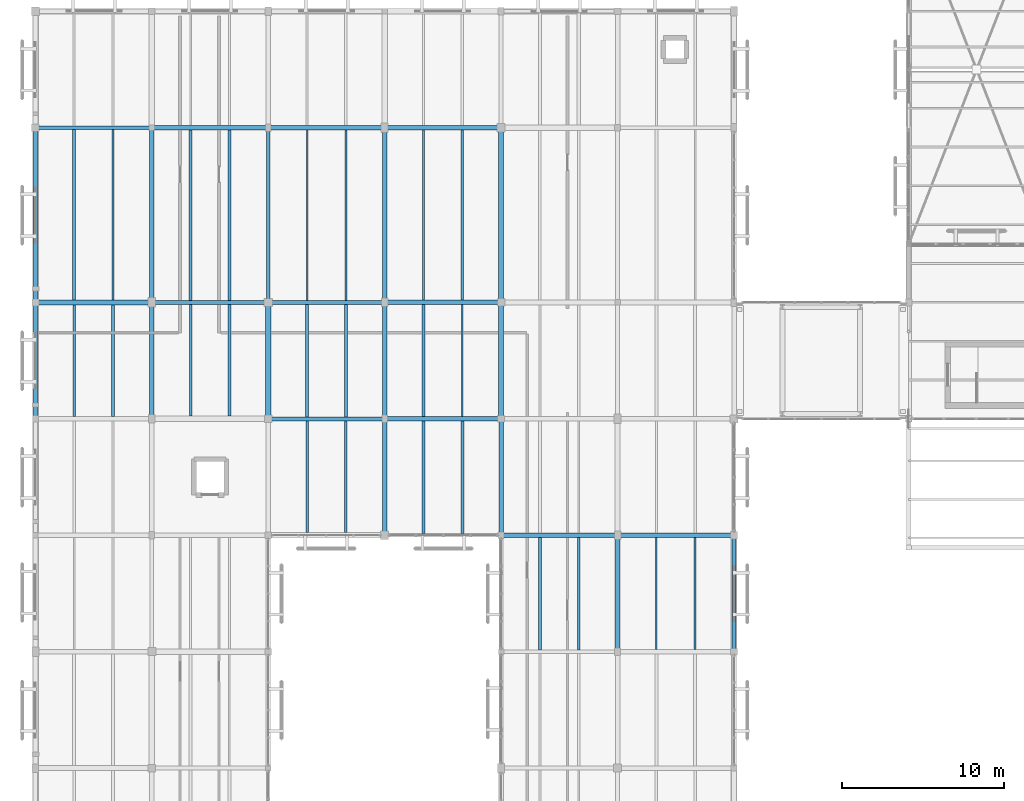
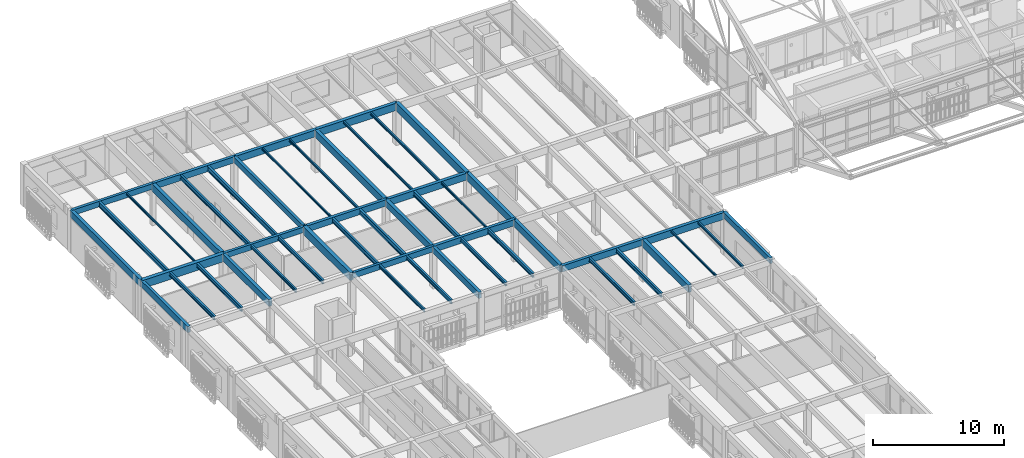
# One storey, part 57 of 217: 50 beams.
"""IFC4 building model written with IfcOpenShell, lengths in metres."""

from ifc_helpers import new_model, si_unit, direction, frame, origin, origin_2d, place, context, subcontext, project, spatial, rectangle, i_section, extrude, material, material_profile, profile_set, type_object, element, save


model = new_model("IFC4")

# Units and contexts
model_context = context("Model", 3, precision=1e-05, world=origin(), true_north=direction((0.0, 1.0)))
body_context = subcontext(model_context, "Body", "Model", "MODEL_VIEW")
ifc_project = project(units=[si_unit("LENGTHUNIT", "METRE"), si_unit("AREAUNIT", "SQUARE_METRE"), si_unit("VOLUMEUNIT", "CUBIC_METRE"), si_unit("PLANEANGLEUNIT", "RADIAN"), si_unit("MASSUNIT", "GRAM", prefix="KILO")], contexts=[model_context])

# Site, building, storey
site_placement = place(None, origin())
site = spatial("IfcSite", under=ifc_project, at=site_placement, CompositionType="ELEMENT")
building_placement = place(site_placement, origin())
building = spatial("IfcBuilding", under=site, at=building_placement, Name="Mazaris Harbour Polytechnic", CompositionType="ELEMENT")
storey_placement = place(building_placement, frame((0.0, 0.0, 9.60009765625)))
storey = spatial("IfcBuildingStorey", under=building, at=storey_placement, Name="L02", CompositionType="ELEMENT", Elevation=9.60009765625)

# Beams
ifc_material_1 = material(Name="Glulam GL32h", Category="wood")
ifc_material_profile_1 = material_profile(ifc_material_1, rectangle(XDim=0.239990234375, YDim=0.52001953125, at=origin_2d()), Name="RECT240x520")
ifc_profile_set_1 = profile_set([ifc_material_profile_1], Name="Glulam GL32h")
beam_type_1 = type_object("IfcBeamType", Name="Glulam Girder 240x520", PredefinedType="BEAM", material=ifc_profile_set_1)
beam_1_placement = place(storey_placement, frame((14.39990234375, 75.60009765625, 3.6298828125), z_axis=(1.0, 0.0, 0.0), x_axis=(0.0, 1.0, 0.0)))
element("IfcBeam", 1, at=beam_1_placement, inside=storey, type_object=beam_type_1, Name="V4 L02 Girder 1945", PredefinedType="BEAM", context=body_context, shape_type="SweptSolid", body=[
    extrude(rectangle(XDim=0.239990234375, YDim=0.52001953125, at=origin_2d()), origin(), (0.0, 0.0, 1.0), 7.2001953125),
])
for number, where, z_axis, x_axis, name in (
    (2, (7.199951171875, 82.800048828125, 3.6298828125), (1.0, 0.0, 0.0), (0.0, 1.0, 0.0), "V4 L02 Girder 1950"),
    (3, (0.0, 93.60009765625, 3.6298828125), (1.0, 0.0, 0.0), (0.0, 1.0, 0.0), "V4 L02 Girder 1955"),
):
    element("IfcBeam", number, at=place(storey_placement, frame(where, z_axis=z_axis, x_axis=x_axis)), inside=storey, type_object=beam_type_1, Name=name, PredefinedType="BEAM", context=body_context, shape_type="SweptSolid", body=[
        extrude(rectangle(XDim=0.239990234375, YDim=0.52001953125, at=origin_2d()), origin(), (0.0, 0.0, 1.0), 7.199951171875),
    ])
beam_2_placement = place(storey_placement, frame((14.39990234375, 82.800048828125, 3.6298828125), z_axis=(0.0, 1.0, 0.0), x_axis=(-1.0, 0.0, 0.0)))
element("IfcBeam", 4, at=beam_2_placement, inside=storey, type_object=beam_type_1, Name="V4 L02 Tie Girder 2000", PredefinedType="BEAM", context=body_context, shape_type="SweptSolid", body=[
    extrude(rectangle(XDim=0.239990234375, YDim=0.52001953125, at=origin_2d()), origin(), (0.0, 0.0, 1.0), 10.800048828125),
])
ifc_material_2 = material(Name="Glulam GL32h", Category="wood")
ifc_material_profile_2 = material_profile(ifc_material_2, rectangle(XDim=0.239990234375, YDim=0.52001953125, at=origin_2d()), Name="RECT240x520")
ifc_profile_set_2 = profile_set([ifc_material_profile_2], Name="Glulam GL32h")
beam_type_2 = type_object("IfcBeamType", Name="Glulam Girder 240x520 Exterior", PredefinedType="BEAM", material=ifc_profile_set_2)
beam_3_placement = place(storey_placement, frame((43.199951171875, 61.199951171875, 3.6298828125), z_axis=(0.0, 1.0, 0.0), x_axis=(-1.0, 0.0, 0.0)))
element("IfcBeam", 5, at=beam_3_placement, inside=storey, type_object=beam_type_2, Name="V4 L02 Tie Girder 2040", PredefinedType="BEAM", context=body_context, shape_type="SweptSolid", body=[
    extrude(rectangle(XDim=0.239990234375, YDim=0.52001953125, at=origin_2d()), origin(), (0.0, 0.0, 1.0), 7.199951171875),
])
ifc_material_3 = material(Name="Glulam GL32h", Category="wood")
ifc_material_profile_3 = material_profile(ifc_material_3, rectangle(XDim=0.260009765625, YDim=0.580078125, at=origin_2d()), Name="RECT260x580")
ifc_profile_set_3 = profile_set([ifc_material_profile_3], Name="Glulam GL32h")
beam_type_3 = type_object("IfcBeamType", Name="Glulam Girder 260x580", PredefinedType="BEAM", material=ifc_profile_set_3)
for number, where, z_axis, x_axis, name in (
    (6, (28.800048828125, 68.39990234375, 3.599853515625), (1.0, 0.0, 0.0), (0.0, 1.0, 0.0), "V4 L02 Girder 1941"),
    (7, (21.60009765625, 75.60009765625, 3.599853515625), (1.0, 0.0, 0.0), (0.0, 1.0, 0.0), "V4 L02 Girder 1946"),
):
    element("IfcBeam", number, at=place(storey_placement, frame(where, z_axis=z_axis, x_axis=x_axis)), inside=storey, type_object=beam_type_3, Name=name, PredefinedType="BEAM", context=body_context, shape_type="SweptSolid", body=[
        extrude(rectangle(XDim=0.260009765625, YDim=0.580078125, at=origin_2d()), origin(), (0.0, 0.0, 1.0), 7.199951171875),
    ])
beam_4_placement = place(storey_placement, frame((14.39990234375, 82.800048828125, 3.599853515625), z_axis=(1.0, 0.0, 0.0), x_axis=(0.0, 1.0, 0.0)))
element("IfcBeam", 8, at=beam_4_placement, inside=storey, type_object=beam_type_3, Name="V4 L02 Girder 1951", PredefinedType="BEAM", context=body_context, shape_type="SweptSolid", body=[
    extrude(rectangle(XDim=0.260009765625, YDim=0.580078125, at=origin_2d()), origin(), (0.0, 0.0, 1.0), 7.2001953125),
])
beam_5_placement = place(storey_placement, frame((7.199951171875, 93.60009765625, 3.599853515625), z_axis=(1.0, 0.0, 0.0), x_axis=(0.0, 1.0, 0.0)))
element("IfcBeam", 9, at=beam_5_placement, inside=storey, type_object=beam_type_3, Name="V4 L02 Girder 1956", PredefinedType="BEAM", context=body_context, shape_type="SweptSolid", body=[
    extrude(rectangle(XDim=0.260009765625, YDim=0.580078125, at=origin_2d()), origin(), (0.0, 0.0, 1.0), 7.199951171875),
])
beam_6_placement = place(storey_placement, frame((21.60009765625, 68.39990234375, 3.599853515625), z_axis=(0.0, 1.0, 0.0), x_axis=(-1.0, 0.0, 0.0)))
element("IfcBeam", 10, at=beam_6_placement, inside=storey, type_object=beam_type_3, Name="V4 L02 Tie Girder 2006", PredefinedType="BEAM", context=body_context, shape_type="SweptSolid", body=[
    extrude(rectangle(XDim=0.260009765625, YDim=0.580078125, at=origin_2d()), origin(), (0.0, 0.0, 1.0), 7.2001953125),
])
ifc_material_4 = material(Name="Glulam GL32h", Category="wood")
ifc_material_profile_4 = material_profile(ifc_material_4, rectangle(XDim=0.260009765625, YDim=0.580078125, at=origin_2d()), Name="RECT260x580")
ifc_profile_set_4 = profile_set([ifc_material_profile_4], Name="Glulam GL32h")
beam_type_4 = type_object("IfcBeamType", Name="Glulam Girder 260x580 Exterior", PredefinedType="BEAM", material=ifc_profile_set_4)
beam_7_placement = place(storey_placement, frame((0.0, 75.60009765625, 3.599853515625), z_axis=(0.0, 1.0, 0.0), x_axis=(-1.0, 0.0, 0.0)))
element("IfcBeam", 11, at=beam_7_placement, inside=storey, type_object=beam_type_4, Name="V4 L02 Tie Girder 1976", PredefinedType="BEAM", context=body_context, shape_type="SweptSolid", body=[
    extrude(rectangle(XDim=0.260009765625, YDim=0.580078125, at=origin_2d()), origin(), (0.0, 0.0, 1.0), 7.199951171875),
])
ifc_material_5 = material(Name="Glulam GL32h", Category="wood")
ifc_material_profile_5 = material_profile(ifc_material_5, rectangle(XDim=0.280029296875, YDim=0.639892578125, at=origin_2d()), Name="RECT280x640")
ifc_profile_set_5 = profile_set([ifc_material_profile_5], Name="Glulam GL32h")
beam_type_5 = type_object("IfcBeamType", Name="Glulam Girder 280x640", PredefinedType="BEAM", material=ifc_profile_set_5)
for number, where, z_axis, x_axis, name in (
    (12, (36.0, 68.39990234375, 3.56982421875), (1.0, 0.0, 0.0), (0.0, 1.0, 0.0), "V4 L02 Girder 1942"),
    (13, (21.60009765625, 82.800048828125, 3.56982421875), (1.0, 0.0, 0.0), (0.0, 1.0, 0.0), "V4 L02 Girder 1952"),
):
    element("IfcBeam", number, at=place(storey_placement, frame(where, z_axis=z_axis, x_axis=x_axis)), inside=storey, type_object=beam_type_5, Name=name, PredefinedType="BEAM", context=body_context, shape_type="SweptSolid", body=[
        extrude(rectangle(XDim=0.280029296875, YDim=0.639892578125, at=origin_2d()), origin(), (0.0, 0.0, 1.0), 7.199951171875),
    ])
beam_8_placement = place(storey_placement, frame((14.39990234375, 93.60009765625, 3.56982421875), z_axis=(1.0, 0.0, 0.0), x_axis=(0.0, 1.0, 0.0)))
element("IfcBeam", 14, at=beam_8_placement, inside=storey, type_object=beam_type_5, Name="V4 L02 Girder 1957", PredefinedType="BEAM", context=body_context, shape_type="SweptSolid", body=[
    extrude(rectangle(XDim=0.280029296875, YDim=0.639892578125, at=origin_2d()), origin(), (0.0, 0.0, 1.0), 7.2001953125),
])
for number, where, z_axis, x_axis, name in (
    (15, (7.199951171875, 75.60009765625, 3.56982421875), (0.0, 1.0, 0.0), (-1.0, 0.0, 0.0), "V4 L02 Tie Girder 1987"),
    (16, (21.60009765625, 75.60009765625, 3.56982421875), (0.0, 1.0, 0.0), (-1.0, 0.0, 0.0), "V4 L02 Tie Girder 2007"),
):
    element("IfcBeam", number, at=place(storey_placement, frame(where, z_axis=z_axis, x_axis=x_axis)), inside=storey, type_object=beam_type_5, Name=name, PredefinedType="BEAM", context=body_context, shape_type="SweptSolid", body=[
        extrude(rectangle(XDim=0.280029296875, YDim=0.639892578125, at=origin_2d()), origin(), (0.0, 0.0, 1.0), 7.199951171875),
    ])
beam_9_placement = place(storey_placement, frame((28.800048828125, 68.39990234375, 3.56982421875), z_axis=(0.0, 1.0, 0.0), x_axis=(-1.0, 0.0, 0.0)))
element("IfcBeam", 17, at=beam_9_placement, inside=storey, type_object=beam_type_5, Name="V4 L02 Tie Girder 2017", PredefinedType="BEAM", context=body_context, shape_type="SweptSolid", body=[
    extrude(rectangle(XDim=0.280029296875, YDim=0.639892578125, at=origin_2d()), origin(), (0.0, 0.0, 1.0), 7.2001953125),
])
ifc_material_6 = material(Name="Glulam GL32h", Category="wood")
ifc_material_profile_6 = material_profile(ifc_material_6, rectangle(XDim=0.280029296875, YDim=0.639892578125, at=origin_2d()), Name="RECT280x640")
ifc_profile_set_6 = profile_set([ifc_material_profile_6], Name="Glulam GL32h")
beam_type_6 = type_object("IfcBeamType", Name="Glulam Girder 280x640 Exterior", PredefinedType="BEAM", material=ifc_profile_set_6)
beam_10_placement = place(storey_placement, frame((0.0, 82.800048828125, 3.56982421875), z_axis=(0.0, 1.0, 0.0), x_axis=(-1.0, 0.0, 0.0)))
element("IfcBeam", 18, at=beam_10_placement, inside=storey, type_object=beam_type_6, Name="V4 L02 Tie Girder 1977", PredefinedType="BEAM", context=body_context, shape_type="SweptSolid", body=[
    extrude(rectangle(XDim=0.280029296875, YDim=0.639892578125, at=origin_2d()), origin(), (0.0, 0.0, 1.0), 10.800048828125),
])
ifc_material_7 = material(Name="Glulam GL32h", Category="wood")
ifc_material_profile_7 = material_profile(ifc_material_7, rectangle(XDim=0.300048828125, YDim=0.679931640625, at=origin_2d()), Name="RECT300x680")
ifc_profile_set_7 = profile_set([ifc_material_profile_7], Name="Glulam GL32h")
beam_type_7 = type_object("IfcBeamType", Name="Glulam Girder 300x680", PredefinedType="BEAM", material=ifc_profile_set_7)
beam_11_placement = place(storey_placement, frame((21.60009765625, 93.60009765625, 3.5498046875), z_axis=(1.0, 0.0, 0.0), x_axis=(0.0, 1.0, 0.0)))
element("IfcBeam", 19, at=beam_11_placement, inside=storey, type_object=beam_type_7, Name="V4 L02 Girder 1958", PredefinedType="BEAM", context=body_context, shape_type="SweptSolid", body=[
    extrude(rectangle(XDim=0.300048828125, YDim=0.679931640625, at=origin_2d()), origin(), (0.0, 0.0, 1.0), 7.199951171875),
])
for number, where, z_axis, x_axis, name in (
    (20, (7.199951171875, 82.800048828125, 3.5498046875), (0.0, 1.0, 0.0), (-1.0, 0.0, 0.0), "V4 L02 Tie Girder 1988"),
    (21, (21.60009765625, 82.800048828125, 3.5498046875), (0.0, 1.0, 0.0), (-1.0, 0.0, 0.0), "V4 L02 Tie Girder 2008"),
):
    element("IfcBeam", number, at=place(storey_placement, frame(where, z_axis=z_axis, x_axis=x_axis)), inside=storey, type_object=beam_type_7, Name=name, PredefinedType="BEAM", context=body_context, shape_type="SweptSolid", body=[
        extrude(rectangle(XDim=0.300048828125, YDim=0.679931640625, at=origin_2d()), origin(), (0.0, 0.0, 1.0), 10.800048828125),
    ])
for number, where, z_axis, x_axis, name in (
    (22, (28.800048828125, 75.60009765625, 3.5498046875), (0.0, 1.0, 0.0), (-1.0, 0.0, 0.0), "V4 L02 Tie Girder 2018"),
    (23, (36.0, 61.199951171875, 3.5498046875), (0.0, 1.0, 0.0), (-1.0, 0.0, 0.0), "V4 L02 Tie Girder 2028"),
):
    element("IfcBeam", number, at=place(storey_placement, frame(where, z_axis=z_axis, x_axis=x_axis)), inside=storey, type_object=beam_type_7, Name=name, PredefinedType="BEAM", context=body_context, shape_type="SweptSolid", body=[
        extrude(rectangle(XDim=0.300048828125, YDim=0.679931640625, at=origin_2d()), origin(), (0.0, 0.0, 1.0), 7.199951171875),
    ])
ifc_material_8 = material(Name="Glulam GL32h", Category="wood")
ifc_material_profile_8 = material_profile(ifc_material_8, rectangle(XDim=0.320068359375, YDim=0.739990234375, at=origin_2d()), Name="RECT320x740")
ifc_profile_set_8 = profile_set([ifc_material_profile_8], Name="Glulam GL32h")
beam_type_8 = type_object("IfcBeamType", Name="Glulam Girder 320x740", PredefinedType="BEAM", material=ifc_profile_set_8)
for number, where, z_axis, x_axis, name in (
    (24, (0.0, 82.800048828125, 3.52001953125), (1.0, 0.0, 0.0), (0.0, 1.0, 0.0), "V4 L02 Girder 1949"),
    (25, (14.39990234375, 75.60009765625, 3.52001953125), (0.0, 1.0, 0.0), (-1.0, 0.0, 0.0), "V4 L02 Tie Girder 1999"),
):
    element("IfcBeam", number, at=place(storey_placement, frame(where, z_axis=z_axis, x_axis=x_axis)), inside=storey, type_object=beam_type_8, Name=name, PredefinedType="BEAM", context=body_context, shape_type="SweptSolid", body=[
        extrude(rectangle(XDim=0.320068359375, YDim=0.739990234375, at=origin_2d()), origin(), (0.0, 0.0, 1.0), 7.199951171875),
    ])
beam_12_placement = place(storey_placement, frame((28.800048828125, 82.800048828125, 3.52001953125), z_axis=(0.0, 1.0, 0.0), x_axis=(-1.0, 0.0, 0.0)))
element("IfcBeam", 26, at=beam_12_placement, inside=storey, type_object=beam_type_8, Name="V4 L02 Tie Girder 2019", PredefinedType="BEAM", context=body_context, shape_type="SweptSolid", body=[
    extrude(rectangle(XDim=0.320068359375, YDim=0.739990234375, at=origin_2d()), origin(), (0.0, 0.0, 1.0), 10.800048828125),
])
ifc_material_9 = material(Name="Steel S355", Category="steel")
ifc_material_profile_9 = material_profile(ifc_material_9, i_section(OverallWidth=0.10009765625, OverallDepth=0.199951171875, WebThickness=0.005615234375, FlangeThickness=0.008544921875, FilletRadius=0.011962890625, at=origin_2d()), Name="IPE 200")
ifc_profile_set_9 = profile_set([ifc_material_profile_9], Name="Steel S355")
beam_type_9 = type_object("IfcBeamType", Name="Steel Joist IPE200", PredefinedType="JOIST", material=ifc_profile_set_9)
beam_13_placement = place(storey_placement, frame((4.800048828125, 82.9599609375, 3.789794921875), z_axis=(0.0, 1.0, 0.0), x_axis=(-1.0, 0.0, 0.0)))
element("IfcBeam", 27, at=beam_13_placement, inside=storey, type_object=beam_type_9, Name="V4 L02 Floor Joist 2065", PredefinedType="JOIST", context=body_context, shape_type="SweptSolid", body=[
    extrude(i_section(OverallWidth=0.10009765625, OverallDepth=0.199951171875, WebThickness=0.005615234375, FlangeThickness=0.008544921875, FilletRadius=0.011962890625, at=origin_2d()), origin(), (0.0, 0.0, 1.0), 10.52001953125),
])
beam_14_placement = place(storey_placement, frame((16.800048828125, 82.929931640625, 3.789794921875), z_axis=(0.0, 1.0, 0.0), x_axis=(-1.0, 0.0, 0.0)))
element("IfcBeam", 28, at=beam_14_placement, inside=storey, type_object=beam_type_9, Name="V4 L02 Floor Joist 2100", PredefinedType="JOIST", context=body_context, shape_type="SweptSolid", body=[
    extrude(i_section(OverallWidth=0.10009765625, OverallDepth=0.199951171875, WebThickness=0.005615234375, FlangeThickness=0.008544921875, FilletRadius=0.011962890625, at=origin_2d()), origin(), (0.0, 0.0, 1.0), 10.530029296875),
])
for number, where, z_axis, x_axis, name in (
    (29, (26.39990234375, 75.72998046875, 3.789794921875), (0.0, 1.0, 0.0), (-1.0, 0.0, 0.0), "V4 L02 Floor Joist 2114"),
    (30, (38.39990234375, 61.330078125, 3.789794921875), (0.0, 1.0, 0.0), (-1.0, 0.0, 0.0), "V4 L02 Floor Joist 2156"),
):
    element("IfcBeam", number, at=place(storey_placement, frame(where, z_axis=z_axis, x_axis=x_axis)), inside=storey, type_object=beam_type_9, Name=name, PredefinedType="JOIST", context=body_context, shape_type="SweptSolid", body=[
        extrude(i_section(OverallWidth=0.10009765625, OverallDepth=0.199951171875, WebThickness=0.005615234375, FlangeThickness=0.008544921875, FilletRadius=0.011962890625, at=origin_2d()), origin(), (0.0, 0.0, 1.0), 6.929931640625),
    ])
ifc_material_10 = material(Name="Steel S355", Category="steel")
ifc_material_profile_10 = material_profile(ifc_material_10, i_section(OverallWidth=0.1201171875, OverallDepth=0.239990234375, WebThickness=0.006103515625, FlangeThickness=0.009765625, FilletRadius=0.014892578125, at=origin_2d()), Name="IPE 240")
ifc_profile_set_10 = profile_set([ifc_material_profile_10], Name="Steel S355")
beam_type_10 = type_object("IfcBeamType", Name="Steel Joist IPE240", PredefinedType="JOIST", material=ifc_profile_set_10)
beam_15_placement = place(storey_placement, frame((19.199951171875, 82.929931640625, 3.77001953125), z_axis=(0.0, 1.0, 0.0), x_axis=(-1.0, 0.0, 0.0)))
element("IfcBeam", 31, at=beam_15_placement, inside=storey, type_object=beam_type_10, Name="V4 L02 Floor Joist 2101", PredefinedType="JOIST", context=body_context, shape_type="SweptSolid", body=[
    extrude(i_section(OverallWidth=0.1201171875, OverallDepth=0.239990234375, WebThickness=0.006103515625, FlangeThickness=0.009765625, FilletRadius=0.014892578125, at=origin_2d()), origin(), (0.0, 0.0, 1.0), 10.530029296875),
])
beam_16_placement = place(storey_placement, frame((24.0, 82.93994140625, 3.77001953125), z_axis=(0.0, 1.0, 0.0), x_axis=(-1.0, 0.0, 0.0)))
element("IfcBeam", 32, at=beam_16_placement, inside=storey, type_object=beam_type_10, Name="V4 L02 Floor Joist 2115", PredefinedType="JOIST", context=body_context, shape_type="SweptSolid", body=[
    extrude(i_section(OverallWidth=0.1201171875, OverallDepth=0.239990234375, WebThickness=0.006103515625, FlangeThickness=0.009765625, FilletRadius=0.014892578125, at=origin_2d()), origin(), (0.0, 0.0, 1.0), 10.510009765625),
])
beam_17_placement = place(storey_placement, frame((40.800048828125, 61.330078125, 3.77001953125), z_axis=(0.0, 1.0, 0.0), x_axis=(-1.0, 0.0, 0.0)))
element("IfcBeam", 33, at=beam_17_placement, inside=storey, type_object=beam_type_10, Name="V4 L02 Floor Joist 2157", PredefinedType="JOIST", context=body_context, shape_type="SweptSolid", body=[
    extrude(i_section(OverallWidth=0.1201171875, OverallDepth=0.239990234375, WebThickness=0.006103515625, FlangeThickness=0.009765625, FilletRadius=0.014892578125, at=origin_2d()), origin(), (0.0, 0.0, 1.0), 6.929931640625),
])
ifc_material_11 = material(Name="Steel S355", Category="steel")
ifc_material_profile_11 = material_profile(ifc_material_11, i_section(OverallWidth=0.135009765625, OverallDepth=0.27001953125, WebThickness=0.006591796875, FlangeThickness=0.01025390625, FilletRadius=0.014892578125, at=origin_2d()), Name="IPE 270")
ifc_profile_set_11 = profile_set([ifc_material_profile_11], Name="Steel S355")
beam_type_11 = type_object("IfcBeamType", Name="Steel Joist IPE270", PredefinedType="JOIST", material=ifc_profile_set_11)
beam_18_placement = place(storey_placement, frame((26.39990234375, 82.93994140625, 3.7548828125), z_axis=(0.0, 1.0, 0.0), x_axis=(-1.0, 0.0, 0.0)))
element("IfcBeam", 34, at=beam_18_placement, inside=storey, type_object=beam_type_11, Name="V4 L02 Floor Joist 2116", PredefinedType="JOIST", context=body_context, shape_type="SweptSolid", body=[
    extrude(i_section(OverallWidth=0.135009765625, OverallDepth=0.27001953125, WebThickness=0.006591796875, FlangeThickness=0.01025390625, FilletRadius=0.014892578125, at=origin_2d()), origin(), (0.0, 0.0, 1.0), 10.510009765625),
])
ifc_material_12 = material(Name="Steel S355", Category="steel")
ifc_material_profile_12 = material_profile(ifc_material_12, i_section(OverallWidth=0.14990234375, OverallDepth=0.300048828125, WebThickness=0.007080078125, FlangeThickness=0.0107421875, FilletRadius=0.014892578125, at=origin_2d()), Name="IPE 300")
ifc_profile_set_12 = profile_set([ifc_material_profile_12], Name="Steel S355")
beam_type_12 = type_object("IfcBeamType", Name="Steel Joist IPE300", PredefinedType="JOIST", material=ifc_profile_set_12)
for number, where, z_axis, x_axis, name in (
    (35, (9.60009765625, 75.760009765625, 3.739990234375), (0.0, 1.0, 0.0), (-1.0, 0.0, 0.0), "V4 L02 Floor Joist 2082"),
    (36, (16.800048828125, 68.56005859375, 3.739990234375), (0.0, 1.0, 0.0), (-1.0, 0.0, 0.0), "V4 L02 Floor Joist 2096"),
):
    element("IfcBeam", number, at=place(storey_placement, frame(where, z_axis=z_axis, x_axis=x_axis)), inside=storey, type_object=beam_type_12, Name=name, PredefinedType="JOIST", context=body_context, shape_type="SweptSolid", body=[
        extrude(i_section(OverallWidth=0.14990234375, OverallDepth=0.300048828125, WebThickness=0.007080078125, FlangeThickness=0.0107421875, FilletRadius=0.014892578125, at=origin_2d()), origin(), (0.0, 0.0, 1.0), 6.919921875),
    ])
ifc_material_13 = material(Name="Steel S355", Category="steel")
ifc_material_profile_13 = material_profile(ifc_material_13, i_section(OverallWidth=0.169921875, OverallDepth=0.360107421875, WebThickness=0.008056640625, FlangeThickness=0.0126953125, FilletRadius=0.01806640625, at=origin_2d()), Name="IPE 360")
ifc_profile_set_13 = profile_set([ifc_material_profile_13], Name="Steel S355")
beam_type_13 = type_object("IfcBeamType", Name="Steel Joist IPE360", PredefinedType="JOIST", material=ifc_profile_set_13)
beam_19_placement = place(storey_placement, frame((2.39990234375, 75.75, 3.7099609375), z_axis=(0.0, 1.0, 0.0), x_axis=(-1.0, 0.0, 0.0)))
element("IfcBeam", 37, at=beam_19_placement, inside=storey, type_object=beam_type_13, Name="V4 L02 Floor Joist 2062", PredefinedType="JOIST", context=body_context, shape_type="SweptSolid", body=[
    extrude(i_section(OverallWidth=0.169921875, OverallDepth=0.360107421875, WebThickness=0.008056640625, FlangeThickness=0.0126953125, FilletRadius=0.01806640625, at=origin_2d()), origin(), (0.0, 0.0, 1.0), 6.889892578125),
])
for number, where, z_axis, x_axis, name in (
    (38, (12.0, 75.760009765625, 3.7099609375), (0.0, 1.0, 0.0), (-1.0, 0.0, 0.0), "V4 L02 Floor Joist 2083"),
    (39, (19.199951171875, 68.56005859375, 3.7099609375), (0.0, 1.0, 0.0), (-1.0, 0.0, 0.0), "V4 L02 Floor Joist 2097"),
):
    element("IfcBeam", number, at=place(storey_placement, frame(where, z_axis=z_axis, x_axis=x_axis)), inside=storey, type_object=beam_type_13, Name=name, PredefinedType="JOIST", context=body_context, shape_type="SweptSolid", body=[
        extrude(i_section(OverallWidth=0.169921875, OverallDepth=0.360107421875, WebThickness=0.008056640625, FlangeThickness=0.0126953125, FilletRadius=0.01806640625, at=origin_2d()), origin(), (0.0, 0.0, 1.0), 6.919921875),
    ])
for number, where, z_axis, x_axis, name in (
    (40, (24.0, 68.52001953125, 3.7099609375), (0.0, 1.0, 0.0), (-1.0, 0.0, 0.0), "V4 L02 Floor Joist 2111"),
    (41, (31.199951171875, 61.320068359375, 3.7099609375), (0.0, 1.0, 0.0), (-1.0, 0.0, 0.0), "V4 L02 Floor Joist 2132"),
):
    element("IfcBeam", number, at=place(storey_placement, frame(where, z_axis=z_axis, x_axis=x_axis)), inside=storey, type_object=beam_type_13, Name=name, PredefinedType="JOIST", context=body_context, shape_type="SweptSolid", body=[
        extrude(i_section(OverallWidth=0.169921875, OverallDepth=0.360107421875, WebThickness=0.008056640625, FlangeThickness=0.0126953125, FilletRadius=0.01806640625, at=origin_2d()), origin(), (0.0, 0.0, 1.0), 6.949951171875),
    ])
ifc_material_14 = material(Name="Steel S355", Category="steel")
ifc_material_profile_14 = material_profile(ifc_material_14, i_section(OverallWidth=0.179931640625, OverallDepth=0.39990234375, WebThickness=0.008544921875, FlangeThickness=0.013427734375, FilletRadius=0.02099609375, at=origin_2d()), Name="IPE 400")
ifc_profile_set_14 = profile_set([ifc_material_profile_14], Name="Steel S355")
beam_type_14 = type_object("IfcBeamType", Name="Steel Joist IPE400", PredefinedType="JOIST", material=ifc_profile_set_14)
beam_20_placement = place(storey_placement, frame((4.800048828125, 75.75, 3.68994140625), z_axis=(0.0, 1.0, 0.0), x_axis=(-1.0, 0.0, 0.0)))
element("IfcBeam", 42, at=beam_20_placement, inside=storey, type_object=beam_type_14, Name="V4 L02 Floor Joist 2063", PredefinedType="JOIST", context=body_context, shape_type="SweptSolid", body=[
    extrude(i_section(OverallWidth=0.179931640625, OverallDepth=0.39990234375, WebThickness=0.008544921875, FlangeThickness=0.013427734375, FilletRadius=0.02099609375, at=origin_2d()), origin(), (0.0, 0.0, 1.0), 6.889892578125),
])
beam_21_placement = place(storey_placement, frame((9.60009765625, 82.919921875, 3.68994140625), z_axis=(0.0, 1.0, 0.0), x_axis=(-1.0, 0.0, 0.0)))
element("IfcBeam", 43, at=beam_21_placement, inside=storey, type_object=beam_type_14, Name="V4 L02 Floor Joist 2084", PredefinedType="JOIST", context=body_context, shape_type="SweptSolid", body=[
    extrude(i_section(OverallWidth=0.179931640625, OverallDepth=0.39990234375, WebThickness=0.008544921875, FlangeThickness=0.013427734375, FilletRadius=0.02099609375, at=origin_2d()), origin(), (0.0, 0.0, 1.0), 10.550048828125),
])
for number, where, z_axis, x_axis, name in (
    (44, (16.800048828125, 75.719970703125, 3.68994140625), (0.0, 1.0, 0.0), (-1.0, 0.0, 0.0), "V4 L02 Floor Joist 2098"),
    (45, (26.39990234375, 68.52001953125, 3.68994140625), (0.0, 1.0, 0.0), (-1.0, 0.0, 0.0), "V4 L02 Floor Joist 2112"),
    (46, (33.60009765625, 61.320068359375, 3.68994140625), (0.0, 1.0, 0.0), (-1.0, 0.0, 0.0), "V4 L02 Floor Joist 2133"),
):
    element("IfcBeam", number, at=place(storey_placement, frame(where, z_axis=z_axis, x_axis=x_axis)), inside=storey, type_object=beam_type_14, Name=name, PredefinedType="JOIST", context=body_context, shape_type="SweptSolid", body=[
        extrude(i_section(OverallWidth=0.179931640625, OverallDepth=0.39990234375, WebThickness=0.008544921875, FlangeThickness=0.013427734375, FilletRadius=0.02099609375, at=origin_2d()), origin(), (0.0, 0.0, 1.0), 6.949951171875),
    ])
ifc_material_15 = material(Name="Steel S355", Category="steel")
ifc_material_profile_15 = material_profile(ifc_material_15, i_section(OverallWidth=0.18994140625, OverallDepth=0.449951171875, WebThickness=0.009521484375, FlangeThickness=0.0146484375, FilletRadius=0.02099609375, at=origin_2d()), Name="IPE 450")
ifc_profile_set_15 = profile_set([ifc_material_profile_15], Name="Steel S355")
beam_type_15 = type_object("IfcBeamType", Name="Steel Joist IPE450", PredefinedType="JOIST", material=ifc_profile_set_15)
beam_22_placement = place(storey_placement, frame((2.39990234375, 82.9599609375, 3.664794921875), z_axis=(0.0, 1.0, 0.0), x_axis=(-1.0, 0.0, 0.0)))
element("IfcBeam", 47, at=beam_22_placement, inside=storey, type_object=beam_type_15, Name="V4 L02 Floor Joist 2064", PredefinedType="JOIST", context=body_context, shape_type="SweptSolid", body=[
    extrude(i_section(OverallWidth=0.18994140625, OverallDepth=0.449951171875, WebThickness=0.009521484375, FlangeThickness=0.0146484375, FilletRadius=0.02099609375, at=origin_2d()), origin(), (0.0, 0.0, 1.0), 10.52001953125),
])
beam_23_placement = place(storey_placement, frame((12.0, 82.919921875, 3.664794921875), z_axis=(0.0, 1.0, 0.0), x_axis=(-1.0, 0.0, 0.0)))
element("IfcBeam", 48, at=beam_23_placement, inside=storey, type_object=beam_type_15, Name="V4 L02 Floor Joist 2085", PredefinedType="JOIST", context=body_context, shape_type="SweptSolid", body=[
    extrude(i_section(OverallWidth=0.18994140625, OverallDepth=0.449951171875, WebThickness=0.009521484375, FlangeThickness=0.0146484375, FilletRadius=0.02099609375, at=origin_2d()), origin(), (0.0, 0.0, 1.0), 10.550048828125),
])
beam_24_placement = place(storey_placement, frame((19.199951171875, 75.719970703125, 3.664794921875), z_axis=(0.0, 1.0, 0.0), x_axis=(-1.0, 0.0, 0.0)))
element("IfcBeam", 49, at=beam_24_placement, inside=storey, type_object=beam_type_15, Name="V4 L02 Floor Joist 2099", PredefinedType="JOIST", context=body_context, shape_type="SweptSolid", body=[
    extrude(i_section(OverallWidth=0.18994140625, OverallDepth=0.449951171875, WebThickness=0.009521484375, FlangeThickness=0.0146484375, FilletRadius=0.02099609375, at=origin_2d()), origin(), (0.0, 0.0, 1.0), 6.949951171875),
])
beam_25_placement = place(storey_placement, frame((24.0, 75.72998046875, 3.664794921875), z_axis=(0.0, 1.0, 0.0), x_axis=(-1.0, 0.0, 0.0)))
element("IfcBeam", 50, at=beam_25_placement, inside=storey, type_object=beam_type_15, Name="V4 L02 Floor Joist 2113", PredefinedType="JOIST", context=body_context, shape_type="SweptSolid", body=[
    extrude(i_section(OverallWidth=0.18994140625, OverallDepth=0.449951171875, WebThickness=0.009521484375, FlangeThickness=0.0146484375, FilletRadius=0.02099609375, at=origin_2d()), origin(), (0.0, 0.0, 1.0), 6.929931640625),
])

save(model, "model.ifc")
